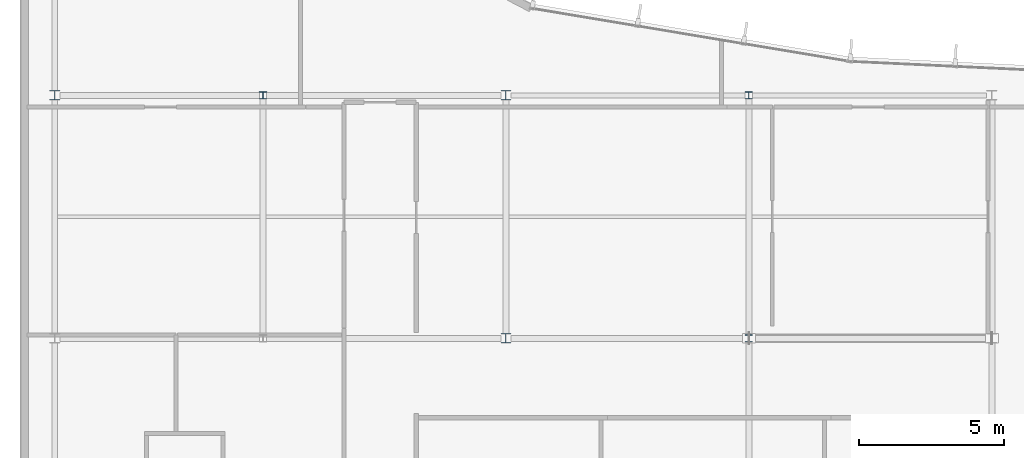
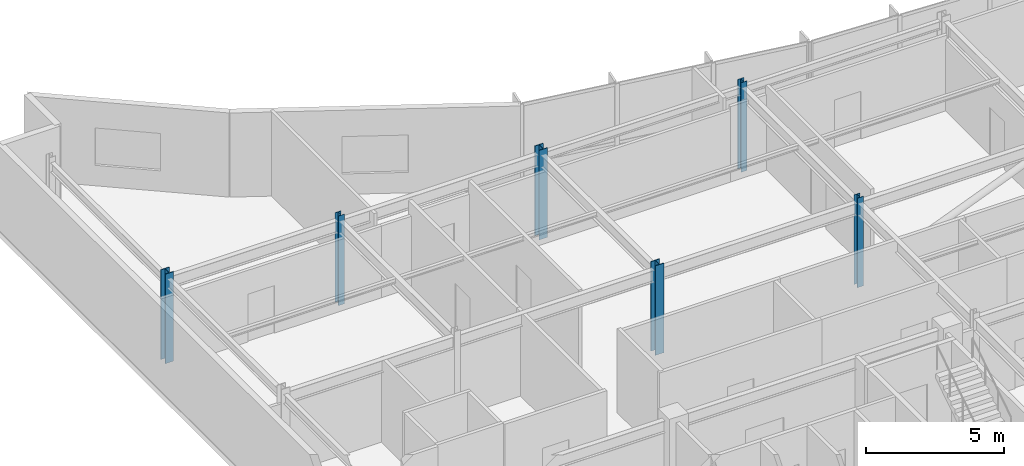
# One storey, part 2 of 17: 6 columns.
"""IFC4 building model written with IfcOpenShell, lengths in metres."""

import ifcopenshell
import ifcopenshell.guid

model = None  # the IFC model being written
_history = None  # IfcOwnerHistory: only IFC2X3 demands one
_inside = {}  # id of a spatial element -> (the spatial element, [elements in it])
_under = {}  # id of a project, library or spatial element -> (it, [spatial elements below it])
_declared = {}  # id of a project -> (the project, [libraries it declares])
_typed = {}  # id of a type object -> (the type object, [elements of that type])
_made_of = {}  # id of a material, layer set ... -> (it, [elements and type objects made of it])


def new_model(schema):
    """Start an empty IFC model of exactly this schema.

    Asked for "IFC4X3", IfcOpenShell would pick the latest addendum, in which some entities
    have other attributes; the version numbers below select the first issue.
    IFC2X3 requires an IfcOwnerHistory on every rooted entity: one is made here for all.
    """
    global model, _history
    if schema == "IFC4X3":
        model = ifcopenshell.file(schema_version=(4, 3, 0, 0))
    else:
        model = ifcopenshell.file(schema=schema)
    _inside.clear()
    _under.clear()
    _declared.clear()
    _typed.clear()
    _made_of.clear()
    _history = None
    if model.schema == "IFC2X3":
        org = make("IfcOrganization", Name="unknown")
        user = make(
            "IfcPersonAndOrganization",
            ThePerson=make("IfcPerson", FamilyName="unknown"),
            TheOrganization=org,
        )
        app = make(
            "IfcApplication",
            ApplicationDeveloper=org,
            Version="unknown",
            ApplicationFullName="unknown",
            ApplicationIdentifier="unknown",
        )
        _history = make(
            "IfcOwnerHistory",
            OwningUser=user,
            OwningApplication=app,
            ChangeAction="ADDED",
            CreationDate=0,
        )
    return model


def make(cls, **values):
    """One entity of the class cls with the attributes given. An attribute that is None is left unset."""
    return model.create_entity(
        cls, **{name: value for name, value in values.items() if value is not None}
    )


def rooted(cls, **values):
    """An entity with a GlobalId (a new one), such as an element, a storey or a relation."""
    return make(cls, GlobalId=ifcopenshell.guid.new(), OwnerHistory=_history, **values)


def si_unit(unit_type, name, prefix=None):
    """IfcSIUnit, for example si_unit("LENGTHUNIT", "METRE", prefix="MILLI")."""
    return make("IfcSIUnit", UnitType=unit_type, Prefix=prefix, Name=name)


def assignment(units):
    """IfcUnitAssignment: the units of a project."""
    return None if units is None else make("IfcUnitAssignment", Units=units)


def point(xyz):
    """IfcCartesianPoint."""
    return None if xyz is None else make("IfcCartesianPoint", Coordinates=xyz)


def direction(xyz):
    """IfcDirection."""
    return None if xyz is None else make("IfcDirection", DirectionRatios=xyz)


def frame(location, z_axis=None, x_axis=None):
    """IfcAxis2Placement3D, a coordinate frame: its origin and axes. An axis left out is left unset."""
    return make(
        "IfcAxis2Placement3D",
        Location=point(location),
        Axis=direction(z_axis),
        RefDirection=direction(x_axis),
    )


def frame_2d(location, x_axis=None):
    """IfcAxis2Placement2D, a coordinate frame in the plane: its origin and x axis."""
    return make(
        "IfcAxis2Placement2D", Location=point(location), RefDirection=direction(x_axis)
    )


def origin():
    """The frame at (0, 0, 0) with its axes left unset."""
    return frame((0.0, 0.0, 0.0))


def origin_2d():
    """The frame at (0, 0) in the plane with its x axis left unset."""
    return frame_2d((0.0, 0.0))


def place(relative_to, where):
    """IfcLocalPlacement: puts the frame where relative to a parent placement (None: the world)."""
    return make(
        "IfcLocalPlacement", PlacementRelTo=relative_to, RelativePlacement=where
    )


def context(
    kind, dimensions, precision=None, world=None, true_north=None, identifier=None
):
    """IfcGeometricRepresentationContext, for example the 3D "Model" context."""
    return make(
        "IfcGeometricRepresentationContext",
        ContextIdentifier=identifier,
        ContextType=kind,
        CoordinateSpaceDimension=dimensions,
        Precision=precision,
        WorldCoordinateSystem=world,
        TrueNorth=true_north,
    )


def subcontext(parent, identifier, kind, view, scale=None):
    """IfcGeometricRepresentationSubContext, for example "Body" below "Model"."""
    return make(
        "IfcGeometricRepresentationSubContext",
        ContextIdentifier=identifier,
        ContextType=kind,
        ParentContext=parent,
        TargetScale=scale,
        TargetView=view,
    )


def project(units=None, contexts=None):
    """IfcProject with its units and contexts."""
    return rooted(
        "IfcProject",
        Name="project",
        RepresentationContexts=contexts,
        UnitsInContext=assignment(units),
    )


def spatial(cls, under=None, at=None, **own):
    """A site, building, storey or space (cls), placed at a placement, below another one or the project."""
    s = rooted(cls, ObjectPlacement=at, **own)
    if under is not None:
        _under.setdefault(under.id(), (under, []))[1].append(s)
    return s


def profile(cls, at=None, kind="AREA", **sizes):
    """A parametric profile (cls). Its sizes go by their IFC names, for example OverallWidth=200.0."""
    return make(cls, ProfileType=kind, Position=at, **sizes)


def i_section(**sizes):
    """IfcIShapeProfileDef."""
    return profile("IfcIShapeProfileDef", **sizes)


def extrude(swept, where, along, depth):
    """IfcExtrudedAreaSolid: the profile swept, set in the frame where, extruded along a direction by depth."""
    return make(
        "IfcExtrudedAreaSolid",
        SweptArea=swept,
        Position=where,
        ExtrudedDirection=direction(along),
        Depth=depth,
    )


def shape(context_of_items, identifier, shape_type, items):
    """IfcShapeRepresentation: the items that make up one representation, for example the "Body"."""
    return make(
        "IfcShapeRepresentation",
        ContextOfItems=context_of_items,
        RepresentationIdentifier=identifier,
        RepresentationType=shape_type,
        Items=items,
    )


def material(Name=None, Category=None):
    """IfcMaterial."""
    return make("IfcMaterial", Name=Name, Category=Category)


def material_profile(
    of_material, cross_section, Name=None, Category=None, Priority=None
):
    """IfcMaterialProfile: a cross section and its material."""
    return make(
        "IfcMaterialProfile",
        Name=Name,
        Material=of_material,
        Profile=cross_section,
        Priority=Priority,
        Category=Category,
    )


def profile_set(profiles, Name=None, composite=None):
    """IfcMaterialProfileSet."""
    return make(
        "IfcMaterialProfileSet",
        Name=Name,
        MaterialProfiles=profiles,
        CompositeProfile=composite,
    )


def made_of(thing, what):
    """Note that an element or type object is made of a material, layer set ...; save() writes the relation."""
    if what is not None:
        _made_of.setdefault(what.id(), (what, []))[1].append(thing)
    return thing


def type_object(cls, material=None, **own):
    """A type object (cls), such as IfcWallType, which elements share."""
    return made_of(rooted(cls, **own), material)


def element(
    cls,
    number,
    at=None,
    inside=None,
    cuts=None,
    type_object=None,
    material=None,
    context=None,
    identifier="Body",
    shape_type=None,
    held_by="IfcProductDefinitionShape",
    body=None,
    shapes=None,
    **own,
):
    """One element of the class cls, such as IfcWall. Its Tag is "e" and its number.

    at: its placement. inside: the storey or other place that contains it. cuts: it is an
    opening in that element (IfcRelVoidsElement). A single representation is given by context,
    identifier, shape_type and body (its items); several are given by shapes. held_by: the class
    of the entity that holds the representations. save() writes the other relations.
    """
    e = rooted(cls, Tag="e%d" % number, ObjectPlacement=at, **own)
    if body is not None:
        shapes = [shape(context, identifier, shape_type, body)]
    if shapes is not None:
        e.Representation = make(held_by, Representations=shapes)
    if inside is not None:
        _inside.setdefault(inside.id(), (inside, []))[1].append(e)
    if cuts is not None:
        rooted(
            "IfcRelVoidsElement", RelatingBuildingElement=cuts, RelatedOpeningElement=e
        )
    if type_object is not None:
        _typed.setdefault(type_object.id(), (type_object, []))[1].append(e)
    return made_of(e, material)


def aggregate(whole, parts):
    """IfcRelAggregates: a whole, such as a stair, and the parts it consists of."""
    return rooted("IfcRelAggregates", RelatingObject=whole, RelatedObjects=parts)


def save(model, path):
    """Write the relations noted so far, then the file.

    IfcRelAggregates (storeys below a building ...), IfcRelContainedInSpatialStructure (elements
    in a storey), IfcRelDefinesByType, IfcRelAssociatesMaterial and IfcRelDeclares: one each for
    every whole, place, type object, material and project.
    """
    for whole, parts in _under.values():
        aggregate(whole, parts)
    for where, things in _inside.values():
        rooted(
            "IfcRelContainedInSpatialStructure",
            RelatedElements=things,
            RelatingStructure=where,
        )
    for kind, things in _typed.values():
        rooted("IfcRelDefinesByType", RelatedObjects=things, RelatingType=kind)
    for what, things in _made_of.values():
        rooted("IfcRelAssociatesMaterial", RelatedObjects=things, RelatingMaterial=what)
    for by, libraries in _declared.values():
        rooted("IfcRelDeclares", RelatingContext=by, RelatedDefinitions=libraries)
    model.write(path)


model = new_model("IFC4")

# Units and contexts
model_context = context("Model", 3, precision=1e-05, world=origin(), true_north=direction((0.0, 1.0)))
body_context = subcontext(model_context, "Body", "Model", "MODEL_VIEW")
ifc_project = project(units=[si_unit("LENGTHUNIT", "METRE"), si_unit("AREAUNIT", "SQUARE_METRE"), si_unit("VOLUMEUNIT", "CUBIC_METRE"), si_unit("PLANEANGLEUNIT", "RADIAN"), si_unit("MASSUNIT", "GRAM", prefix="KILO")], contexts=[model_context])

# Site, building, storey
site_placement = place(None, origin())
site = spatial("IfcSite", under=ifc_project, at=site_placement, CompositionType="ELEMENT")
building_placement = place(site_placement, origin())
building = spatial("IfcBuilding", under=site, at=building_placement, Name="Varnakote Quay Hospital", CompositionType="ELEMENT")
storey_placement = place(building_placement, frame((0.0, 0.0, 256.550048828125)))
storey = spatial("IfcBuildingStorey", under=building, at=storey_placement, Name="L63", CompositionType="ELEMENT", Elevation=256.550048828125)

# Columns
ifc_material_1 = material(Name="Structural steel AS/NZS 3679.1 Grade 350 L0 (fy 340 MPa)", Category="steel")
ifc_material_profile_1 = material_profile(ifc_material_1, i_section(OverallWidth=0.25390625, OverallDepth=0.25390625, WebThickness=0.008544921875, FlangeThickness=0.01416015625, FilletRadius=0.0126953125, at=origin_2d()), Name="250UC72.9")
ifc_profile_set_1 = profile_set([ifc_material_profile_1], Name="Structural steel AS/NZS 3679.1 Grade 350 L0 (fy 340 MPa)")
column_type_1 = type_object("IfcColumnType", Name="COL-STL-250UC72-9", PredefinedType="COLUMN", material=ifc_profile_set_1)
for number, where, z_axis, x_axis, name in (
    (1, (25.199951171875, 20.39990234375, 0.0), (0.0, 0.0, 1.0), (1.0, 0.0, 0.0), "L63 Structural Column C-25-20"),
    (2, (8.39990234375, 28.800048828125, 0.0), (0.0, 0.0, 1.0), (1.0, 0.0, 0.0), "L63 Structural Column C-8-29"),
    (3, (25.199951171875, 28.800048828125, 0.0), (0.0, 0.0, 1.0), (1.0, 0.0, 0.0), "L63 Structural Column C-25-29"),
):
    element("IfcColumn", number, at=place(storey_placement, frame(where, z_axis=z_axis, x_axis=x_axis)), inside=storey, type_object=column_type_1, Name=name, PredefinedType="COLUMN", context=body_context, shape_type="SweptSolid", body=[
        extrude(i_section(OverallWidth=0.25390625, OverallDepth=0.25390625, WebThickness=0.008544921875, FlangeThickness=0.01416015625, FilletRadius=0.0126953125, at=origin_2d()), origin(), (0.0, 0.0, 1.0), 3.949951171875),
    ])
ifc_material_2 = material(Name="Structural steel AS/NZS 3678 Grade 350 (fy 340 MPa)", Category="steel")
ifc_material_profile_2 = material_profile(ifc_material_2, i_section(OverallWidth=0.35009765625, OverallDepth=0.340087890625, WebThickness=0.01611328125, FlangeThickness=0.028076171875, at=origin_2d()), Name="350WC197")
ifc_profile_set_2 = profile_set([ifc_material_profile_2], Name="Structural steel AS/NZS 3678 Grade 350 (fy 340 MPa)")
column_type_2 = type_object("IfcColumnType", Name="COL-STL-350WC197", PredefinedType="COLUMN", material=ifc_profile_set_2)
for number, where, z_axis, x_axis, name in (
    (4, (16.800048828125, 20.39990234375, 0.0), (0.0, 0.0, 1.0), (1.0, 0.0, 0.0), "L63 Structural Column C-17-20"),
    (5, (1.199951171875, 28.800048828125, 0.0), (0.0, 0.0, 1.0), (1.0, 0.0, 0.0), "L63 Structural Column C-1-29"),
    (6, (16.800048828125, 28.800048828125, 0.0), (0.0, 0.0, 1.0), (1.0, 0.0, 0.0), "L63 Structural Column C-17-29"),
):
    element("IfcColumn", number, at=place(storey_placement, frame(where, z_axis=z_axis, x_axis=x_axis)), inside=storey, type_object=column_type_2, Name=name, PredefinedType="COLUMN", context=body_context, shape_type="SweptSolid", body=[
        extrude(i_section(OverallWidth=0.35009765625, OverallDepth=0.340087890625, WebThickness=0.01611328125, FlangeThickness=0.028076171875, at=origin_2d()), origin(), (0.0, 0.0, 1.0), 3.949951171875),
    ])

save(model, "model.ifc")
